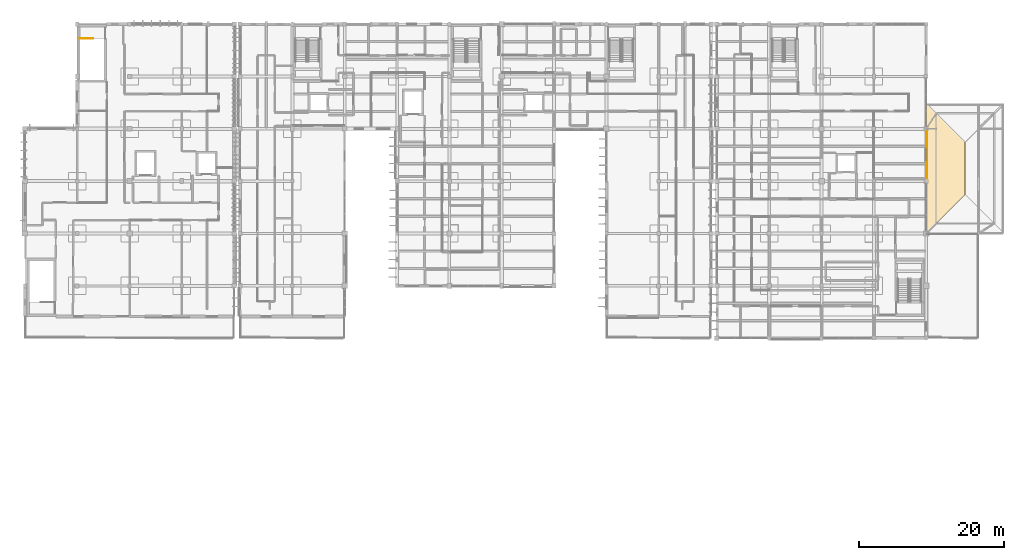
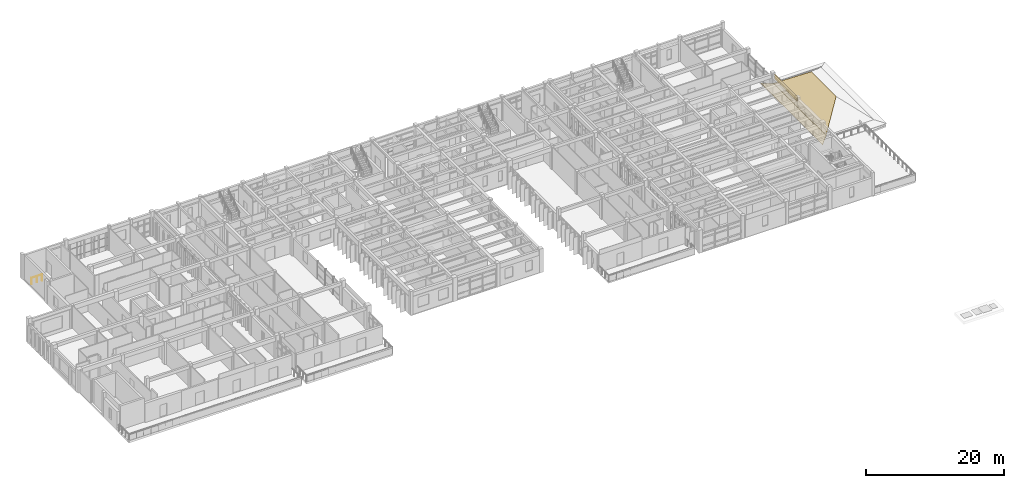
# One storey, part 51 of 55: 3 coverings, 1 railing.
"""IFC4 building model written with IfcOpenShell, lengths in metres."""

from ifc_helpers import new_model, si_unit, direction, frame, origin, origin_2d, place, context, subcontext, project, spatial, polyline, rectangle, circle, outline, extrude, material, layer, layer_set, type_object, element, save


model = new_model("IFC4")

# Units and contexts
model_context = context("Model", 3, precision=1e-05, world=origin(), true_north=direction((0.0, 1.0)))
body_context = subcontext(model_context, "Body", "Model", "MODEL_VIEW")
ifc_project = project(units=[si_unit("LENGTHUNIT", "METRE"), si_unit("AREAUNIT", "SQUARE_METRE"), si_unit("VOLUMEUNIT", "CUBIC_METRE"), si_unit("PLANEANGLEUNIT", "RADIAN"), si_unit("MASSUNIT", "GRAM", prefix="KILO")], contexts=[model_context])

# Site, building, storey
site_placement = place(None, origin())
site = spatial("IfcSite", under=ifc_project, at=site_placement, CompositionType="ELEMENT")
building_placement = place(site_placement, origin())
building = spatial("IfcBuilding", under=site, at=building_placement, Name="Steenspoor Specialist Clinic", CompositionType="ELEMENT")
storey_placement = place(building_placement, frame((0.0, 0.0, 13.199951171875)))
storey = spatial("IfcBuildingStorey", under=building, at=storey_placement, Name="L03", CompositionType="ELEMENT", Elevation=13.199951171875)

# Coverings
ifc_material_1 = material(Name="Glazed ceramic relief spandrel cladding", Category="masonry")
ifc_layer_1 = layer(ifc_material_1, 0.034912109375)
ifc_layer_set_1 = layer_set([ifc_layer_1], Name="Glazed ceramic relief spandrel cladding")
covering_type_1 = type_object("IfcCoveringType", Name="COV-CLAD-CERAMIC", PredefinedType="CLADDING", material=ifc_layer_set_1)
covering_1_placement = place(storey_placement, frame((146.93994140625, 90.362548828125, 3.115234375), z_axis=(0.0, 0.0, 1.0), x_axis=(0.0, -1.0, 0.0)))
element("IfcCovering", 1, at=covering_1_placement, inside=storey, type_object=covering_type_1, Name="Spandrel Cladding 94", PredefinedType="CLADDING", context=body_context, shape_type="SweptSolid", body=[
    extrude(rectangle(XDim=6.455078125, YDim=0.0400390625, at=origin_2d()), origin(), (0.0, 0.0, 1.0), 0.840087890625),
])
ifc_material_2 = material(Name="Extruded terracotta clay roof tile", Category="masonry")
ifc_layer_2 = layer(ifc_material_2, 0.044921875)
ifc_layer_set_2 = layer_set([ifc_layer_2], Name="Extruded terracotta clay roof tile")
covering_type_2 = type_object("IfcCoveringType", Name="COV-ROOF-TILE", PredefinedType="ROOFING", material=ifc_layer_set_2)
covering_2_placement = place(storey_placement, frame((146.830078125, 97.449951171875, 0.048095703125), z_axis=(-0.241998799207, 0.0, 0.970276548816), x_axis=(0.0, -1.0, 0.0)))
element("IfcCovering", 2, at=covering_2_placement, inside=storey, type_object=covering_type_2, Name="Clay Tile Roofing V6T2 SKW", PredefinedType="ROOFING", context=body_context, shape_type="SweptSolid", body=[
    extrude(outline(polyline([(0.0, 0.0), (17.869873046875, 0.0), (16.52001953125, 1.3912049273706915), (1.349853515625, 1.3912049273706915), (0.0, 0.0)])), origin(), (0.0, 0.0, -1.0), 0.044921875),
])
covering_3_placement = place(storey_placement, frame((148.179931640625, 96.10009765625, 0.384765625), z_axis=(-0.609431389531, 0.0, 0.792838811773), x_axis=(0.0, -1.0, 0.0)))
element("IfcCovering", 3, at=covering_3_placement, inside=storey, type_object=covering_type_2, Name="Clay Tile Roofing V6T2 W", PredefinedType="ROOFING", context=body_context, shape_type="SweptSolid", body=[
    extrude(outline(polyline([(0.0, 0.0), (15.170166015625, 0.0), (11.18505859375, 5.026377824468569), (3.985107421875, 5.026377824468569), (0.0, 0.0)])), origin(), (0.0, 0.0, -1.0), 0.044921875),
])

# Railing
ifc_material_3 = material(Name="Painted architectural steel balustrade", Category="steel")
railing_type = type_object("IfcRailingType", Name="RAIL-GUARD-1100", PredefinedType="GUARDRAIL", material=ifc_material_3)
railing_placement = place(storey_placement, frame((30.39990234375, 106.39990234375, 0.0)))
element("IfcRailing", 4, at=railing_placement, inside=storey, type_object=railing_type, Name="L03 ST-V5A top well guard 1", PredefinedType="GUARDRAIL", context=body_context, shape_type="SweptSolid", body=[
    extrude(circle(Radius=0.02392578125, at=origin_2d()), frame((0.0, 0.0, 1.076171875), z_axis=(1.0, 0.0, 0.0), x_axis=(0.0, 1.0, 0.0)), (0.0, 0.0, 1.0), 1.75),
    extrude(circle(Radius=0.02099609375, at=origin_2d()), origin(), (0.0, 0.0, 1.0), 1.052001953125),
    extrude(circle(Radius=0.02099609375, at=origin_2d()), frame((0.875, 0.0, 0.0)), (0.0, 0.0, 1.0), 1.052001953125),
    extrude(circle(Radius=0.02099609375, at=origin_2d()), frame((1.75, 0.0, 0.0)), (0.0, 0.0, 1.0), 1.052001953125),
])

save(model, "model.ifc")
